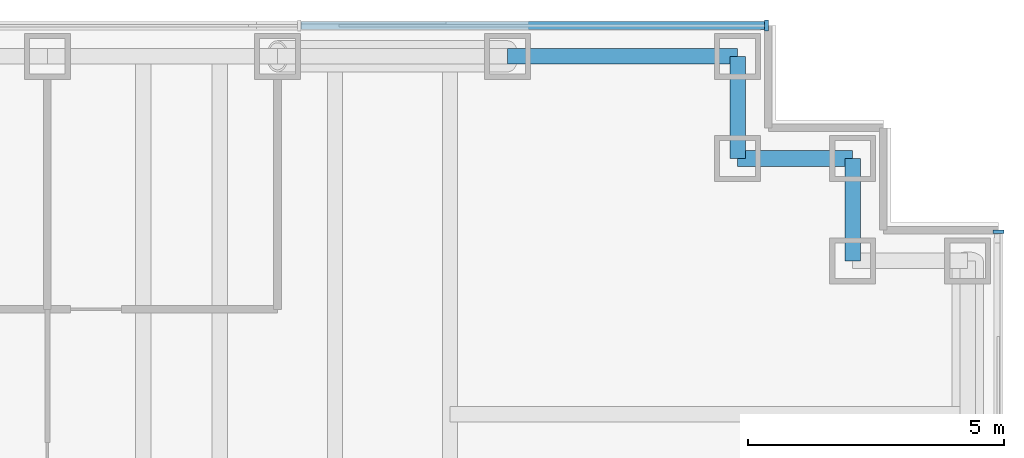
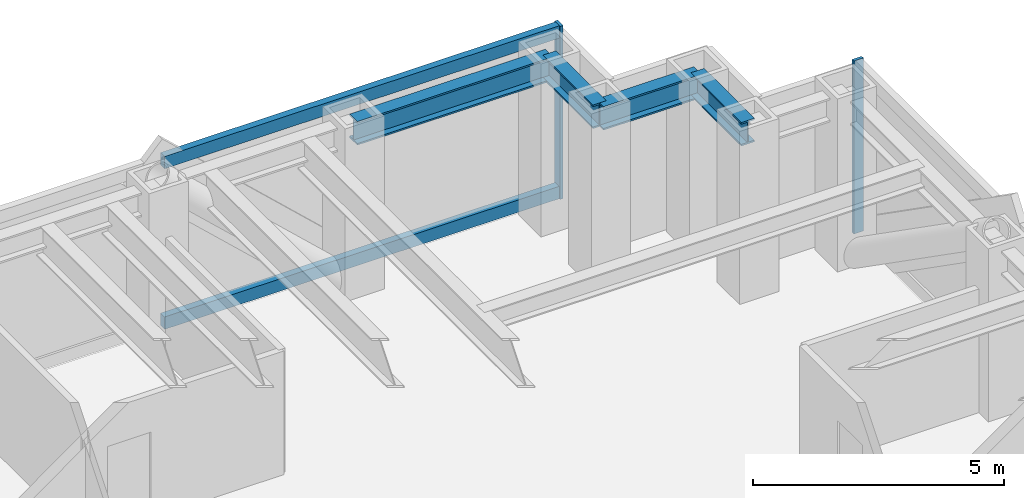
# One storey, part 9 of 17: 4 beams, 4 members, 2 elements without a shape of their own.
"""IFC4 building model written with IfcOpenShell, lengths in metres."""

from ifc_helpers import new_model, si_unit, direction, frame, origin, origin_2d, place, context, subcontext, project, spatial, rectangle, i_section, extrude, material, material_profile, profile_set, type_object, element, aggregate, save


model = new_model("IFC4")

# Units and contexts
model_context = context("Model", 3, precision=1e-05, world=origin(), true_north=direction((0.0, 1.0)))
body_context = subcontext(model_context, "Body", "Model", "MODEL_VIEW")
ifc_project = project(units=[si_unit("LENGTHUNIT", "METRE"), si_unit("AREAUNIT", "SQUARE_METRE"), si_unit("VOLUMEUNIT", "CUBIC_METRE"), si_unit("PLANEANGLEUNIT", "RADIAN"), si_unit("MASSUNIT", "GRAM", prefix="KILO")], contexts=[model_context])

# Site, building, storey
site_placement = place(None, origin())
site = spatial("IfcSite", under=ifc_project, at=site_placement, CompositionType="ELEMENT")
building_placement = place(site_placement, origin())
building = spatial("IfcBuilding", under=site, at=building_placement, Name="Rheinbord Bourse Tower", CompositionType="ELEMENT")
storey_placement = place(building_placement, frame((0.0, 0.0, 159.300048828125)))
storey = spatial("IfcBuildingStorey", under=building, at=storey_placement, Name="L35", CompositionType="ELEMENT", Elevation=159.300048828125)

# Curtain wall, member
ifc_material_1 = material(Name="Dark glass and black aluminium", Category="aluminium")
curtain_wall_type = type_object("IfcCurtainWallType", Name="CW2 DARK GLASS CURTAIN WALL", PredefinedType="USERDEFINED", material=ifc_material_1)
curtain_wall_1_placement = place(storey_placement, origin())
curtain_wall_1 = element("IfcCurtainWall", 1, at=curtain_wall_1_placement, inside=storey, type_object=curtain_wall_type, Name="Curtain wall CW2 E L35", ObjectType="UNITISED CURTAIN WALL", PredefinedType="USERDEFINED")
ifc_material_2 = material(Name="Black anodised aluminium", Category="aluminium")
ifc_material_profile_1 = material_profile(ifc_material_2, rectangle(XDim=0.219970703125, YDim=0.070068359375, at=origin_2d()), Name="CW2 MULLION 70x220")
ifc_profile_set_1 = profile_set([ifc_material_profile_1], Name="Black anodised aluminium")
member_type_1 = type_object("IfcMemberType", Name="CW2 BLACK MULLION", PredefinedType="MULLION", material=ifc_profile_set_1)
member_1_placement = place(storey_placement, frame((72.60009765625, 42.56494140625, 0.0), z_axis=(0.0, 0.0, 1.0), x_axis=(-1.0, 0.0, 0.0)))
member_1 = element("IfcMember", 2, at=member_1_placement, type_object=member_type_1, Name="CW2 mullion 6", PredefinedType="MULLION", context=body_context, shape_type="SweptSolid", body=[
    extrude(rectangle(XDim=0.219970703125, YDim=0.070068359375, at=origin_2d()), origin(), (0.0, 0.0, 1.0), 4.199951171875),
])
aggregate(curtain_wall_1, [member_1])

# Curtain wall, members
curtain_wall_2_placement = place(storey_placement, origin())
curtain_wall_2 = element("IfcCurtainWall", 3, at=curtain_wall_2_placement, inside=storey, type_object=curtain_wall_type, Name="Curtain wall CW2 N L35", ObjectType="UNITISED CURTAIN WALL", PredefinedType="USERDEFINED")
member_2_placement = place(storey_placement, frame((68.06494140625, 46.60009765625, 0.0), z_axis=(0.0, 0.0, 1.0), x_axis=(0.0, -1.0, 0.0)))
member_2 = element("IfcMember", 4, at=member_2_placement, type_object=member_type_1, Name="CW2 mullion 1", PredefinedType="MULLION", context=body_context, shape_type="SweptSolid", body=[
    extrude(rectangle(XDim=0.219970703125, YDim=0.070068359375, at=origin_2d()), origin(), (0.0, 0.0, 1.0), 4.199951171875),
])
ifc_material_3 = material(Name="Black anodised aluminium", Category="aluminium")
ifc_material_profile_2 = material_profile(ifc_material_3, rectangle(XDim=0.159912109375, YDim=0.300048828125, at=origin_2d()), Name="CW2 TRANSOM 300x160")
ifc_profile_set_2 = profile_set([ifc_material_profile_2], Name="Black anodised aluminium")
member_type_2 = type_object("IfcMemberType", Name="CW2 BLACK TRANSOM", PredefinedType="USERDEFINED", material=ifc_profile_set_2)
member_3_placement = place(storey_placement, frame((68.030029296875, 46.60009765625, 0.14990234375), z_axis=(-1.0, 0.0, 0.0), x_axis=(0.0, -1.0, 0.0)))
member_3 = element("IfcMember", 5, at=member_3_placement, type_object=member_type_2, Name="CW2 transom 1.1", ObjectType="TRANSOM", PredefinedType="USERDEFINED", context=body_context, shape_type="SweptSolid", body=[
    extrude(rectangle(XDim=0.159912109375, YDim=0.300048828125, at=origin_2d()), origin(), (0.0, 0.0, 1.0), 9.06640625),
])
member_4_placement = place(storey_placement, frame((68.030029296875, 46.60009765625, 4.050048828125), z_axis=(-1.0, 0.0, 0.0), x_axis=(0.0, -1.0, 0.0)))
member_4 = element("IfcMember", 6, at=member_4_placement, type_object=member_type_2, Name="CW2 transom 1.2", ObjectType="TRANSOM", PredefinedType="USERDEFINED", context=body_context, shape_type="SweptSolid", body=[
    extrude(rectangle(XDim=0.159912109375, YDim=0.300048828125, at=origin_2d()), origin(), (0.0, 0.0, 1.0), 9.06640625),
])
aggregate(curtain_wall_2, [member_2, member_3, member_4])

# Beams
ifc_material_4 = material(Name="Steel S460", Category="steel")
ifc_material_profile_3 = material_profile(ifc_material_4, i_section(OverallWidth=0.305908203125, OverallDepth=0.572021484375, WebThickness=0.02099609375, FlangeThickness=0.0400390625, at=origin_2d()), Name="HEM 550")
ifc_profile_set_3 = profile_set([ifc_material_profile_3], Name="Steel S460")
beam_type = type_object("IfcBeamType", Name="SPANDREL HEM 550", PredefinedType="SPANDREL", material=ifc_profile_set_3)
beam_1_placement = place(storey_placement, frame((69.75, 42.0, 3.75390625), z_axis=(0.0, 1.0, 0.0), x_axis=(-1.0, 0.0, 0.0)))
element("IfcBeam", 7, at=beam_1_placement, inside=storey, type_object=beam_type, Name="Spandrel NE-B-NE-C under L36", PredefinedType="SPANDREL", context=body_context, shape_type="SweptSolid", body=[
    extrude(i_section(OverallWidth=0.305908203125, OverallDepth=0.572021484375, WebThickness=0.02099609375, FlangeThickness=0.0400390625, at=origin_2d()), origin(), (0.0, 0.0, 1.0), 2.0),
])
beam_2_placement = place(storey_placement, frame((69.75, 44.0, 3.75390625), z_axis=(-1.0, 0.0, 0.0), x_axis=(0.0, -1.0, 0.0)))
element("IfcBeam", 8, at=beam_2_placement, inside=storey, type_object=beam_type, Name="Spandrel NE-C-NE-D under L36", PredefinedType="SPANDREL", context=body_context, shape_type="SweptSolid", body=[
    extrude(i_section(OverallWidth=0.305908203125, OverallDepth=0.572021484375, WebThickness=0.02099609375, FlangeThickness=0.0400390625, at=origin_2d()), origin(), (0.0, 0.0, 1.0), 2.25),
])
beam_3_placement = place(storey_placement, frame((67.5, 44.0, 3.75390625), z_axis=(0.0, 1.0, 0.0), x_axis=(-1.0, 0.0, 0.0)))
element("IfcBeam", 9, at=beam_3_placement, inside=storey, type_object=beam_type, Name="Spandrel NE-D-NE-E under L36", PredefinedType="SPANDREL", context=body_context, shape_type="SweptSolid", body=[
    extrude(i_section(OverallWidth=0.305908203125, OverallDepth=0.572021484375, WebThickness=0.02099609375, FlangeThickness=0.0400390625, at=origin_2d()), origin(), (0.0, 0.0, 1.0), 2.0),
])
beam_4_placement = place(storey_placement, frame((67.5, 46.0, 3.75390625), z_axis=(-1.0, 0.0, 0.0), x_axis=(0.0, -1.0, 0.0)))
element("IfcBeam", 10, at=beam_4_placement, inside=storey, type_object=beam_type, Name="Spandrel NE-E-N-63 under L36", PredefinedType="SPANDREL", context=body_context, shape_type="SweptSolid", body=[
    extrude(i_section(OverallWidth=0.305908203125, OverallDepth=0.572021484375, WebThickness=0.02099609375, FlangeThickness=0.0400390625, at=origin_2d()), origin(), (0.0, 0.0, 1.0), 4.5),
])

save(model, "model.ifc")
